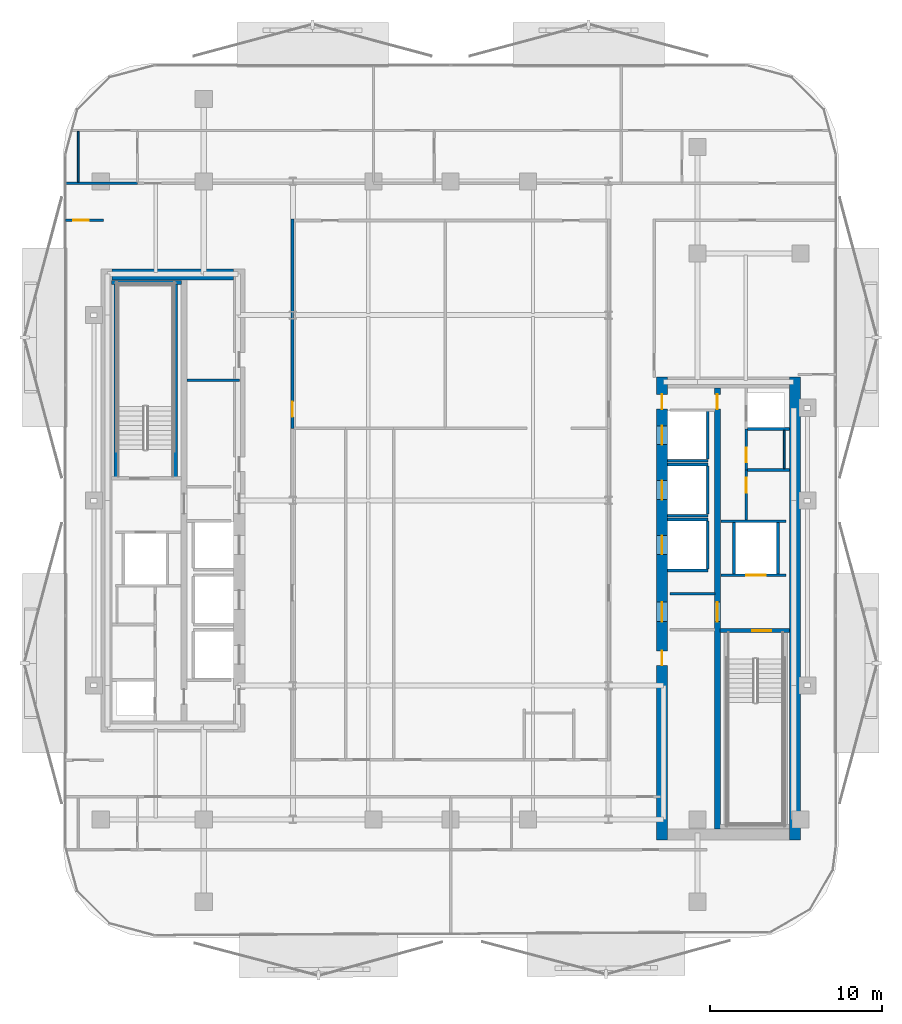
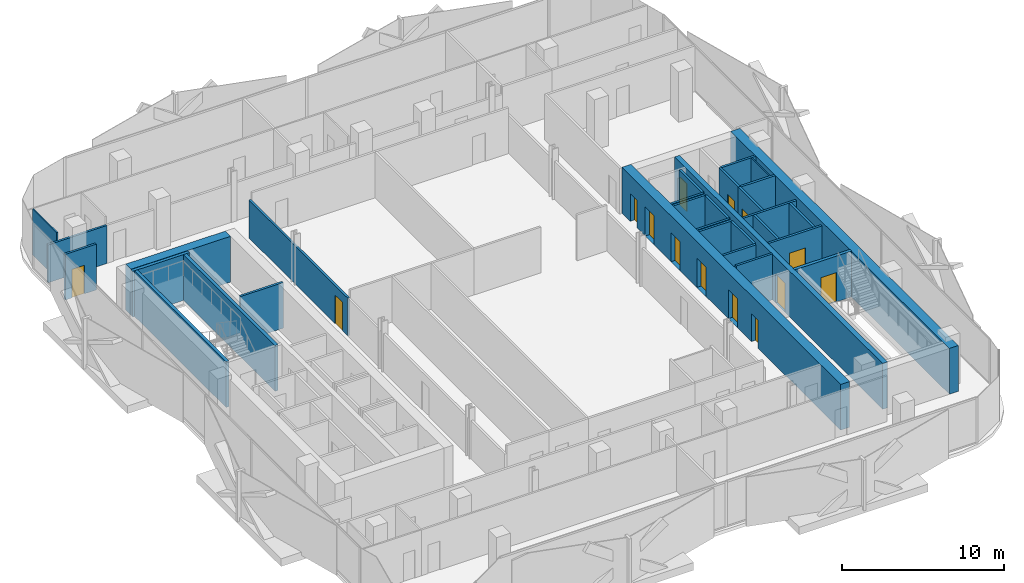
# One storey, part 5 of 17: 31 walls, 14 doors, 14 openings.
"""IFC4 building model written with IfcOpenShell, lengths in metres."""

from ifc_helpers import new_model, si_unit, direction, frame, frame_2d, origin, place, context, subcontext, project, spatial, rectangle, extrude, material, layer, layer_set, type_object, element, fill, save


model = new_model("IFC4")

# Units and contexts
model_context = context("Model", 3, precision=1e-05, world=origin(), true_north=direction((0.0, 1.0)))
body_context = subcontext(model_context, "Body", "Model", "MODEL_VIEW")
ifc_project = project(units=[si_unit("LENGTHUNIT", "METRE"), si_unit("AREAUNIT", "SQUARE_METRE"), si_unit("VOLUMEUNIT", "CUBIC_METRE"), si_unit("PLANEANGLEUNIT", "RADIAN"), si_unit("MASSUNIT", "GRAM", prefix="KILO")], contexts=[model_context])

# Site, building, storey
site_placement = place(None, origin())
site = spatial("IfcSite", under=ifc_project, at=site_placement, CompositionType="ELEMENT")
building_placement = place(site_placement, origin())
building = spatial("IfcBuilding", under=site, at=building_placement, Name="Khairoan Windgate Tower", CompositionType="ELEMENT")
storey_placement = place(building_placement, frame((0.0, 0.0, 210.60009765625)))
storey = spatial("IfcBuildingStorey", under=building, at=storey_placement, Name="L49", CompositionType="ELEMENT", Elevation=210.60009765625)

# Walls
ifc_material_1 = material(Name="Moisture-Resistant Gypsum Partition", Category="gypsum")
ifc_layer_1 = layer(ifc_material_1, 0.10009765625, Name="Moisture-Resistant Gypsum Partition")
ifc_layer_set_1 = layer_set([ifc_layer_1], Name="Moisture-Resistant Gypsum Partition")
wall_type_1 = type_object("IfcWallType", Name="Bathroom Wet-Area Partition Wall", PredefinedType="PARTITIONING", material=ifc_layer_set_1)
wall_1_placement = place(storey_placement, frame((19.449951171875, 4.090087890625, 0.0), z_axis=(0.0, 0.0, 1.0), x_axis=(0.0, -1.0, 0.0)))
element("IfcWall", 1, at=wall_1_placement, inside=storey, type_object=wall_type_1, Name="L49 Wet Room Side Wall 070", PredefinedType="PARTITIONING", context=body_context, shape_type="SweptSolid", body=[
    extrude(rectangle(XDim=2.239990234375, YDim=0.10009765625, at=frame_2d((1.1201171875, 0.0))), origin(), (0.0, 0.0, 1.0), 3.449951171875),
])
wall_2_placement = place(storey_placement, frame((-21.719970703125, 18.554931640625, 0.0), z_axis=(0.0, 0.0, 1.0), x_axis=(0.0, 1.0, 0.0)))
element("IfcWall", 2, at=wall_2_placement, inside=storey, type_object=wall_type_1, Name="L49 Wet Room Side Wall 072", PredefinedType="PARTITIONING", context=body_context, shape_type="SweptSolid", body=[
    extrude(rectangle(XDim=2.965087890625, YDim=0.10009765625, at=frame_2d((1.482421875, 0.0))), origin(), (0.0, 0.0, 1.0), 3.449951171875),
])
ifc_material_2 = material(Name="Concrete C40/50", Category="concrete")
ifc_layer_2 = layer(ifc_material_2, 0.159912109375, Name="Concrete C40/50")
ifc_layer_set_2 = layer_set([ifc_layer_2], Name="Concrete C40/50")
wall_type_2 = type_object("IfcWallType", Name="Core and Hoistway Enclosure Wall", PredefinedType="STANDARD", material=ifc_layer_set_2)
wall_3_placement = place(storey_placement, frame((12.64990234375, 2.31005859375, 0.0), z_axis=(0.0, 0.0, 1.0), x_axis=(1.0, 0.0, 0.0)))
element("IfcWall", 3, at=wall_3_placement, inside=storey, type_object=wall_type_2, Name="L49 Lift PL7 Hoistway Divider S", PredefinedType="STANDARD", context=body_context, shape_type="SweptSolid", body=[
    extrude(rectangle(XDim=2.340087890625, YDim=0.159912109375, at=frame_2d((1.169921875, 0.0))), origin(), (0.0, 0.0, 1.0), 3.449951171875),
])
wall_4_placement = place(storey_placement, frame((14.989990234375, 2.39990234375, 0.0), z_axis=(0.0, 0.0, 1.0), x_axis=(0.0, 1.0, 0.0)))
element("IfcWall", 4, at=wall_4_placement, inside=storey, type_object=wall_type_2, Name="L49 Lift PL7 Hoistway Back Wall", PredefinedType="STANDARD", context=body_context, shape_type="SweptSolid", body=[
    extrude(rectangle(XDim=2.800048828125, YDim=0.159912109375, at=frame_2d((1.39990234375, 0.0))), origin(), (0.0, 0.0, 1.0), 3.449951171875),
])
for number, where, z_axis, x_axis, name in (
    (5, (12.64990234375, -0.889892578125, 0.0), (0.0, 0.0, 1.0), (1.0, 0.0, 0.0), "L49 Lift PL8 Hoistway Divider S"),
    (6, (12.64990234375, 2.090087890625, 0.0), (0.0, 0.0, 1.0), (1.0, 0.0, 0.0), "L49 Lift PL8 Hoistway Divider N"),
):
    element("IfcWall", number, at=place(storey_placement, frame(where, z_axis=z_axis, x_axis=x_axis)), inside=storey, type_object=wall_type_2, Name=name, PredefinedType="STANDARD", context=body_context, shape_type="SweptSolid", body=[
        extrude(rectangle(XDim=2.340087890625, YDim=0.159912109375, at=frame_2d((1.169921875, 0.0))), origin(), (0.0, 0.0, 1.0), 3.449951171875),
    ])
wall_5_placement = place(storey_placement, frame((14.989990234375, -0.800048828125, 0.0), z_axis=(0.0, 0.0, 1.0), x_axis=(0.0, 1.0, 0.0)))
element("IfcWall", 7, at=wall_5_placement, inside=storey, type_object=wall_type_2, Name="L49 Lift PL8 Hoistway Back Wall", PredefinedType="STANDARD", context=body_context, shape_type="SweptSolid", body=[
    extrude(rectangle(XDim=2.800048828125, YDim=0.159912109375, at=frame_2d((1.39990234375, 0.0))), origin(), (0.0, 0.0, 1.0), 3.449951171875),
])
for number, where, z_axis, x_axis, name in (
    (8, (12.64990234375, -4.090087890625, 0.0), (0.0, 0.0, 1.0), (1.0, 0.0, 0.0), "L49 Lift PL9 Hoistway Divider S"),
    (9, (12.64990234375, -1.110107421875, 0.0), (0.0, 0.0, 1.0), (1.0, 0.0, 0.0), "L49 Lift PL9 Hoistway Divider N"),
):
    element("IfcWall", number, at=place(storey_placement, frame(where, z_axis=z_axis, x_axis=x_axis)), inside=storey, type_object=wall_type_2, Name=name, PredefinedType="STANDARD", context=body_context, shape_type="SweptSolid", body=[
        extrude(rectangle(XDim=2.340087890625, YDim=0.159912109375, at=frame_2d((1.169921875, 0.0))), origin(), (0.0, 0.0, 1.0), 3.449951171875),
    ])
wall_6_placement = place(storey_placement, frame((14.989990234375, -4.0, 0.0), z_axis=(0.0, 0.0, 1.0), x_axis=(0.0, 1.0, 0.0)))
element("IfcWall", 10, at=wall_6_placement, inside=storey, type_object=wall_type_2, Name="L49 Lift PL9 Hoistway Back Wall", PredefinedType="STANDARD", context=body_context, shape_type="SweptSolid", body=[
    extrude(rectangle(XDim=2.800048828125, YDim=0.159912109375, at=frame_2d((1.39990234375, 0.0))), origin(), (0.0, 0.0, 1.0), 3.449951171875),
])

# Wall, opening, door
wall_7_placement = place(storey_placement, frame((15.75, -4.360107421875, 0.0), z_axis=(0.0, 0.0, 1.0), x_axis=(1.0, 0.0, 0.0)))
wall_7 = element("IfcWall", 11, at=wall_7_placement, inside=storey, type_object=wall_type_2, Name="L49 Core Shaft Wall SW-FL1-L49", PredefinedType="STANDARD", context=body_context, shape_type="SweptSolid", body=[
    extrude(rectangle(XDim=3.800048828125, YDim=0.159912109375, at=frame_2d((1.89990234375, 0.0))), origin(), (0.0, 0.0, 1.0), 3.449951171875),
])
opening_1_placement = place(wall_7_placement, frame((1.469970703125, 0.0, 0.0)))
opening_1 = element("IfcOpeningElement", 12, at=opening_1_placement, cuts=wall_7, Name="Opening LD-FL", PredefinedType="OPENING", context=body_context, shape_type="SweptSolid", body=[
    extrude(rectangle(XDim=1.14990234375, YDim=2.199951171875, at=frame_2d((0.574951171875, 1.10009765625))), frame((0.0, 0.08984375, 0.0), z_axis=(0.0, -1.0, 0.0), x_axis=(1.0, 0.0, 0.0)), (0.0, 0.0, 1.0), 0.179931640625),
])
ifc_material_3 = material(Name="Steel S355", Category="steel")
door_type_1 = type_object("IfcDoorType", Name="Firefighting Lift Sliding Landing Door LD-FL 1150x2200", OperationType="DOUBLE_DOOR_SLIDING", PredefinedType="DOOR", material=ifc_material_3)
door_1_placement = place(opening_1_placement, origin())
door_1 = element("IfcDoor", 13, at=door_1_placement, inside=storey, type_object=door_type_1, Name="L49 Firefighting Lift FL1 Landing Door", OperationType="DOUBLE_DOOR_SLIDING", OverallHeight=2.199951171875, OverallWidth=1.14990234375, PredefinedType="DOOR", context=body_context, shape_type="SweptSolid", body=[
    extrude(rectangle(XDim=1.14990234375, YDim=2.199951171875, at=frame_2d((0.574951171875, 1.10009765625))), frame((0.0, 0.02490234375, 0.0), z_axis=(0.0, -1.0, 0.0), x_axis=(1.0, 0.0, 0.0)), (0.0, 0.0, 1.0), 0.050048828125),
])
fill(opening_1, door_1)

# Walls
wall_8_placement = place(storey_placement, frame((15.75, -1.219970703125, 0.0), z_axis=(0.0, 0.0, 1.0), x_axis=(1.0, 0.0, 0.0)))
element("IfcWall", 14, at=wall_8_placement, inside=storey, type_object=wall_type_2, Name="L49 Core Shaft Wall SW-FL1T-L49", PredefinedType="STANDARD", context=body_context, shape_type="SweptSolid", body=[
    extrude(rectangle(XDim=3.800048828125, YDim=0.159912109375, at=frame_2d((1.89990234375, 0.0))), origin(), (0.0, 0.0, 1.0), 3.449951171875),
])
for number, where, z_axis, x_axis, name in (
    (15, (16.52001953125, -4.280029296875, 0.0), (0.0, 0.0, 1.0), (0.0, 1.0, 0.0), "L49 Core Shaft Wall SW-FL1W-L49"),
    (16, (19.080078125, -4.280029296875, 0.0), (0.0, 0.0, 1.0), (0.0, 1.0, 0.0), "L49 Core Shaft Wall SW-FL1E-L49"),
):
    element("IfcWall", number, at=place(storey_placement, frame(where, z_axis=z_axis, x_axis=x_axis)), inside=storey, type_object=wall_type_2, Name=name, PredefinedType="STANDARD", context=body_context, shape_type="SweptSolid", body=[
        extrude(rectangle(XDim=2.97998046875, YDim=0.159912109375, at=frame_2d((1.489990234375, 0.0))), origin(), (0.0, 0.0, 1.0), 3.449951171875),
    ])
wall_9_placement = place(storey_placement, frame((12.800048828125, -5.449951171875, 0.0), z_axis=(0.0, 0.0, 1.0), x_axis=(1.0, 0.0, 0.0)))
element("IfcWall", 17, at=wall_9_placement, inside=storey, type_object=wall_type_2, Name="L49 Core Shaft Wall SW-EV1-L49", PredefinedType="STANDARD", context=body_context, shape_type="SweptSolid", body=[
    extrude(rectangle(XDim=2.599853515625, YDim=0.159912109375, at=frame_2d((1.2998046875, 0.0))), origin(), (0.0, 0.0, 1.0), 3.449951171875),
])
ifc_material_4 = material(Name="Concrete C40/50", Category="concrete")
ifc_layer_3 = layer(ifc_material_4, 0.159912109375, Name="Concrete C40/50")
ifc_layer_set_3 = layer_set([ifc_layer_3], Name="Concrete C40/50")
wall_type_3 = type_object("IfcWallType", Name="Plant and Refuge Compartment Wall", PredefinedType="PARTITIONING", material=ifc_layer_set_3)
wall_10_placement = place(storey_placement, frame((-15.375, 7.0, 0.0), z_axis=(0.0, 0.0, 1.0), x_axis=(1.0, 0.0, 0.0)))
element("IfcWall", 18, at=wall_10_placement, inside=storey, type_object=wall_type_3, Name="L49 Interior Partition 006", PredefinedType="PARTITIONING", context=body_context, shape_type="SweptSolid", body=[
    extrude(rectangle(XDim=3.06494140625, YDim=0.159912109375, at=frame_2d((1.532470703125, 0.0))), origin(), (0.0, 0.0, 1.0), 3.449951171875),
])

# Wall, opening, door
wall_11_placement = place(storey_placement, frame((17.22998046875, 1.77001953125, 0.0), z_axis=(0.0, 0.0, 1.0), x_axis=(0.0, 1.0, 0.0)))
wall_11 = element("IfcWall", 19, at=wall_11_placement, inside=storey, type_object=wall_type_3, Name="L49 Interior Partition 008", PredefinedType="PARTITIONING", context=body_context, shape_type="SweptSolid", body=[
    extrude(rectangle(XDim=2.39990234375, YDim=0.159912109375, at=frame_2d((1.199951171875, 0.0))), origin(), (0.0, 0.0, 1.0), 3.449951171875),
])
opening_2_placement = place(wall_11_placement, frame((0.4599609375, 0.0, 0.0)))
opening_2 = element("IfcOpeningElement", 20, at=opening_2_placement, cuts=wall_11, Name="Opening FD-SRV", PredefinedType="OPENING", context=body_context, shape_type="SweptSolid", body=[
    extrude(rectangle(XDim=0.85009765625, YDim=2.10009765625, at=frame_2d((0.425048828125, 1.050048828125))), frame((0.0, 0.08984375, 0.0), z_axis=(0.0, -1.0, 0.0), x_axis=(1.0, 0.0, 0.0)), (0.0, 0.0, 1.0), 0.179931640625),
])
ifc_material_5 = material(Name="Steel S355", Category="steel")
door_type_2 = type_object("IfcDoorType", Name="Core Service and Riser Fire Door FD-SRV 850x2100", OperationType="NOTDEFINED", PredefinedType="DOOR", material=ifc_material_5)
door_2_placement = place(opening_2_placement, origin())
door_2 = element("IfcDoor", 21, at=door_2_placement, inside=storey, type_object=door_type_2, Name="L49 L49-18-L49-20 Door", OperationType="SINGLE_SWING_RIGHT", OverallHeight=2.10009765625, OverallWidth=0.85009765625, PredefinedType="DOOR", context=body_context, shape_type="SweptSolid", body=[
    extrude(rectangle(XDim=0.85009765625, YDim=2.10009765625, at=frame_2d((0.425048828125, 1.050048828125))), frame((0.0, 0.02490234375, 0.0), z_axis=(0.0, -1.0, 0.0), x_axis=(1.0, 0.0, 0.0)), (0.0, 0.0, 1.0), 0.050048828125),
])
fill(opening_2, door_2)

wall_12_placement = place(storey_placement, frame((17.22998046875, -1.139892578125, 0.0), z_axis=(0.0, 0.0, 1.0), x_axis=(0.0, 1.0, 0.0)))
wall_12 = element("IfcWall", 22, at=wall_12_placement, inside=storey, type_object=wall_type_3, Name="L49 Interior Partition 009", PredefinedType="PARTITIONING", context=body_context, shape_type="SweptSolid", body=[
    extrude(rectangle(XDim=2.909912109375, YDim=0.159912109375, at=frame_2d((1.455078125, 0.0))), origin(), (0.0, 0.0, 1.0), 3.449951171875),
])
opening_3_placement = place(wall_12_placement, frame((1.60009765625, 0.0, 0.0)))
opening_3 = element("IfcOpeningElement", 23, at=opening_3_placement, cuts=wall_12, Name="Opening FD-SRV", PredefinedType="OPENING", context=body_context, shape_type="SweptSolid", body=[
    extrude(rectangle(XDim=0.85009765625, YDim=2.10009765625, at=frame_2d((0.425048828125, 1.050048828125))), frame((0.0, 0.08984375, 0.0), z_axis=(0.0, -1.0, 0.0), x_axis=(1.0, 0.0, 0.0)), (0.0, 0.0, 1.0), 0.179931640625),
])
door_3_placement = place(opening_3_placement, origin())
door_3 = element("IfcDoor", 24, at=door_3_placement, inside=storey, type_object=door_type_2, Name="L49 L49-18-L49-21 Door", OperationType="SINGLE_SWING_LEFT", OverallHeight=2.10009765625, OverallWidth=0.85009765625, PredefinedType="DOOR", context=body_context, shape_type="SweptSolid", body=[
    extrude(rectangle(XDim=0.85009765625, YDim=2.10009765625, at=frame_2d((0.425048828125, 1.050048828125))), frame((0.0, 0.02490234375, 0.0), z_axis=(0.0, -1.0, 0.0), x_axis=(1.0, 0.0, 0.0)), (0.0, 0.0, 1.0), 0.050048828125),
])
fill(opening_3, door_3)

# Walls
for number, where, z_axis, x_axis, name in (
    (25, (17.31005859375, 4.169921875, 0.0), (0.0, 0.0, 1.0), (1.0, 0.0, 0.0), "L49 Interior Partition 010"),
    (26, (17.31005859375, 1.77001953125, 0.0), (0.0, 0.0, 1.0), (1.0, 0.0, 0.0), "L49 Interior Partition 011"),
):
    element("IfcWall", number, at=place(storey_placement, frame(where, z_axis=z_axis, x_axis=x_axis)), inside=storey, type_object=wall_type_3, Name=name, PredefinedType="PARTITIONING", context=body_context, shape_type="SweptSolid", body=[
        extrude(rectangle(XDim=2.43994140625, YDim=0.159912109375, at=frame_2d((1.219970703125, 0.0))), origin(), (0.0, 0.0, 1.0), 3.449951171875),
    ])

# Wall, opening, door
ifc_material_6 = material(Name="Acoustic Fire-Rated Gypsum Partition", Category="gypsum")
ifc_layer_4 = layer(ifc_material_6, 0.14990234375, Name="Acoustic Fire-Rated Gypsum Partition")
ifc_layer_set_4 = layer_set([ifc_layer_4], Name="Acoustic Fire-Rated Gypsum Partition")
wall_type_4 = type_object("IfcWallType", Name="Rated Corridor Partition Wall", PredefinedType="PARTITIONING", material=ifc_layer_set_4)
wall_13_placement = place(storey_placement, frame((-9.219970703125, 4.199951171875, 0.0), z_axis=(0.0, 0.0, 1.0), x_axis=(0.0, 1.0, 0.0)))
wall_13 = element("IfcWall", 27, at=wall_13_placement, inside=storey, type_object=wall_type_4, Name="L49 Interior Partition 013", PredefinedType="PARTITIONING", context=body_context, shape_type="SweptSolid", body=[
    extrude(rectangle(XDim=12.195068359375, YDim=0.14990234375, at=frame_2d((6.09765625, 0.0))), origin(), (0.0, 0.0, 1.0), 2.86181640625),
])
opening_4_placement = place(wall_13_placement, frame((0.663330078125, 0.0, 0.0)))
opening_4 = element("IfcOpeningElement", 28, at=opening_4_placement, cuts=wall_13, Name="Opening FD-ENT", PredefinedType="OPENING", context=body_context, shape_type="SweptSolid", body=[
    extrude(rectangle(XDim=0.89990234375, YDim=2.14990234375, at=frame_2d((0.449951171875, 1.074951171875))), frame((0.0, 0.0849609375, 0.0), z_axis=(0.0, -1.0, 0.0), x_axis=(1.0, 0.0, 0.0)), (0.0, 0.0, 1.0), 0.169921875),
])
ifc_material_7 = material(Name="Timber Fire-Rated Core", Category="wood")
door_type_3 = type_object("IfcDoorType", Name="Unit and Office Fire Entrance Door FD-ENT 900x2150", OperationType="NOTDEFINED", PredefinedType="DOOR", material=ifc_material_7)
door_4_placement = place(opening_4_placement, origin())
door_4 = element("IfcDoor", 29, at=door_4_placement, inside=storey, type_object=door_type_3, Name="L49 L49-28-L49-37 Door", OperationType="SINGLE_SWING_LEFT", OverallHeight=2.14990234375, OverallWidth=0.89990234375, PredefinedType="DOOR", context=body_context, shape_type="SweptSolid", body=[
    extrude(rectangle(XDim=0.89990234375, YDim=2.14990234375, at=frame_2d((0.449951171875, 1.074951171875))), frame((0.0, 0.02490234375, 0.0), z_axis=(0.0, -1.0, 0.0), x_axis=(1.0, 0.0, 0.0)), (0.0, 0.0, 1.0), 0.050048828125),
])
fill(opening_4, door_4)

# Wall
wall_14_placement = place(storey_placement, frame((-22.455078125, 18.47998046875, 0.0), z_axis=(0.0, 0.0, 1.0), x_axis=(1.0, 0.0, 0.0)))
element("IfcWall", 30, at=wall_14_placement, inside=storey, type_object=wall_type_4, Name="L49 Interior Partition 019", PredefinedType="PARTITIONING", context=body_context, shape_type="SweptSolid", body=[
    extrude(rectangle(XDim=4.195068359375, YDim=0.14990234375, at=frame_2d((2.09765625, 0.0))), origin(), (0.0, 0.0, 1.0), 2.86181640625),
])

# Wall, opening, door
wall_15_placement = place(storey_placement, frame((-22.455078125, 16.340087890625, 0.0), z_axis=(0.0, 0.0, 1.0), x_axis=(1.0, 0.0, 0.0)))
wall_15 = element("IfcWall", 31, at=wall_15_placement, inside=storey, type_object=wall_type_4, Name="L49 Interior Partition 026", PredefinedType="PARTITIONING", context=body_context, shape_type="SweptSolid", body=[
    extrude(rectangle(XDim=2.215087890625, YDim=0.14990234375, at=frame_2d((1.107421875, 0.0))), origin(), (0.0, 0.0, 1.0), 3.449951171875),
])
opening_5_placement = place(wall_15_placement, frame((0.4599609375, 0.0, 0.0)))
opening_5 = element("IfcOpeningElement", 32, at=opening_5_placement, cuts=wall_15, Name="Opening FD-ENT", PredefinedType="OPENING", context=body_context, shape_type="SweptSolid", body=[
    extrude(rectangle(XDim=0.89990234375, YDim=2.14990234375, at=frame_2d((0.449951171875, 1.074951171875))), frame((0.0, 0.0849609375, 0.0), z_axis=(0.0, -1.0, 0.0), x_axis=(1.0, 0.0, 0.0)), (0.0, 0.0, 1.0), 0.169921875),
])
door_5_placement = place(opening_5_placement, origin())
door_5 = element("IfcDoor", 33, at=door_5_placement, inside=storey, type_object=door_type_3, Name="L49 L49-30-L49-55 Door", OperationType="SINGLE_SWING_LEFT", OverallHeight=2.14990234375, OverallWidth=0.89990234375, PredefinedType="DOOR", context=body_context, shape_type="SweptSolid", body=[
    extrude(rectangle(XDim=0.89990234375, YDim=2.14990234375, at=frame_2d((0.449951171875, 1.074951171875))), frame((0.0, 0.02490234375, 0.0), z_axis=(0.0, -1.0, 0.0), x_axis=(1.0, 0.0, 0.0)), (0.0, 0.0, 1.0), 0.050048828125),
])
fill(opening_5, door_5)

# Wall, openings, doors
ifc_material_8 = material(Name="Concrete C60/75", Category="concrete")
ifc_layer_5 = layer(ifc_material_8, 0.64990234375, Name="Concrete C60/75")
ifc_layer_set_5 = layer_set([ifc_layer_5], Name="Concrete C60/75")
wall_type_5 = type_object("IfcWallType", Name="Shear Wall CW-E2 650mm", PredefinedType="SHEAR", material=ifc_layer_set_5)
wall_16_placement = place(storey_placement, frame((12.324951171875, -19.800048828125, 0.0), z_axis=(0.0, 0.0, 1.0), x_axis=(0.0, 1.0, 0.0)))
wall_16 = element("IfcWall", 34, at=wall_16_placement, inside=storey, type_object=wall_type_5, Name="E Core West Shear Wall L49", PredefinedType="SHEAR", context=body_context, shape_type="SweptSolid", body=[
    extrude(rectangle(XDim=27.0, YDim=0.64990234375, at=frame_2d((13.5, 0.0))), origin(), (0.0, 0.0, 1.0), 3.449951171875),
])
opening_6_placement = place(wall_16_placement, frame((23.050048828125, 0.0, 0.0)))
opening_6 = element("IfcOpeningElement", 35, at=opening_6_placement, cuts=wall_16, Name="Opening LD-PL", PredefinedType="OPENING", context=body_context, shape_type="SweptSolid", body=[
    extrude(rectangle(XDim=1.10009765625, YDim=2.199951171875, at=frame_2d((0.550048828125, 1.10009765625))), frame((0.0, 0.3349609375, 0.0), z_axis=(0.0, -1.0, 0.0), x_axis=(1.0, 0.0, 0.0)), (0.0, 0.0, 1.0), 0.669921875),
])
opening_7_placement = place(wall_16_placement, frame((19.85009765625, 0.0, 0.0)))
opening_7 = element("IfcOpeningElement", 36, at=opening_7_placement, cuts=wall_16, Name="Opening LD-PL", PredefinedType="OPENING", context=body_context, shape_type="SweptSolid", body=[
    extrude(rectangle(XDim=1.10009765625, YDim=2.199951171875, at=frame_2d((0.550048828125, 1.10009765625))), frame((0.0, 0.3349609375, 0.0), z_axis=(0.0, -1.0, 0.0), x_axis=(1.0, 0.0, 0.0)), (0.0, 0.0, 1.0), 0.669921875),
])
opening_8_placement = place(wall_16_placement, frame((16.64990234375, 0.0, 0.0)))
opening_8 = element("IfcOpeningElement", 37, at=opening_8_placement, cuts=wall_16, Name="Opening LD-PL", PredefinedType="OPENING", context=body_context, shape_type="SweptSolid", body=[
    extrude(rectangle(XDim=1.10009765625, YDim=2.199951171875, at=frame_2d((0.550048828125, 1.10009765625))), frame((0.0, 0.3349609375, 0.0), z_axis=(0.0, -1.0, 0.0), x_axis=(1.0, 0.0, 0.0)), (0.0, 0.0, 1.0), 0.669921875),
])
opening_9_placement = place(wall_16_placement, frame((10.175048828125, 0.0, 0.0)))
opening_9 = element("IfcOpeningElement", 38, at=opening_9_placement, cuts=wall_16, Name="Opening FD-SRV", PredefinedType="OPENING", context=body_context, shape_type="SweptSolid", body=[
    extrude(rectangle(XDim=0.85009765625, YDim=2.10009765625, at=frame_2d((0.425048828125, 1.050048828125))), frame((0.0, 0.3349609375, 0.0), z_axis=(0.0, -1.0, 0.0), x_axis=(1.0, 0.0, 0.0)), (0.0, 0.0, 1.0), 0.669921875),
])
opening_10_placement = place(wall_16_placement, frame((12.72509765625, 0.0, 0.0)))
opening_10 = element("IfcOpeningElement", 39, at=opening_10_placement, cuts=wall_16, Name="Opening FD-FFL", PredefinedType="OPENING", context=body_context, shape_type="SweptSolid", body=[
    extrude(rectangle(XDim=1.14990234375, YDim=2.199951171875, at=frame_2d((0.574951171875, 1.10009765625))), frame((0.0, 0.3349609375, 0.0), z_axis=(0.0, -1.0, 0.0), x_axis=(1.0, 0.0, 0.0)), (0.0, 0.0, 1.0), 0.669921875),
])
opening_11_placement = place(wall_16_placement, frame((25.125, 0.0, 0.0)))
opening_11 = element("IfcOpeningElement", 40, at=opening_11_placement, cuts=wall_16, Name="Opening FD-SRV", PredefinedType="OPENING", context=body_context, shape_type="SweptSolid", body=[
    extrude(rectangle(XDim=0.85009765625, YDim=2.10009765625, at=frame_2d((0.425048828125, 1.050048828125))), frame((0.0, 0.3349609375, 0.0), z_axis=(0.0, -1.0, 0.0), x_axis=(1.0, 0.0, 0.0)), (0.0, 0.0, 1.0), 0.669921875),
])
door_6_placement = place(opening_9_placement, origin())
door_6 = element("IfcDoor", 41, at=door_6_placement, inside=storey, type_object=door_type_2, Name="L49 East Core Service Room Door 1", OperationType="SINGLE_SWING_LEFT", OverallHeight=2.10009765625, OverallWidth=0.85009765625, PredefinedType="DOOR", context=body_context, shape_type="SweptSolid", body=[
    extrude(rectangle(XDim=0.85009765625, YDim=2.10009765625, at=frame_2d((0.425048828125, 1.050048828125))), frame((0.0, 0.02490234375, 0.0), z_axis=(0.0, -1.0, 0.0), x_axis=(1.0, 0.0, 0.0)), (0.0, 0.0, 1.0), 0.050048828125),
])
fill(opening_9, door_6)
door_7_placement = place(opening_11_placement, origin())
door_7 = element("IfcDoor", 42, at=door_7_placement, inside=storey, type_object=door_type_2, Name="L49 East Core Service Vestibule Outer Door", OperationType="SINGLE_SWING_RIGHT", OverallHeight=2.10009765625, OverallWidth=0.85009765625, PredefinedType="DOOR", context=body_context, shape_type="SweptSolid", body=[
    extrude(rectangle(XDim=0.85009765625, YDim=2.10009765625, at=frame_2d((0.425048828125, 1.050048828125))), frame((0.0, 0.02490234375, 0.0), z_axis=(0.0, -1.0, 0.0), x_axis=(1.0, 0.0, 0.0)), (0.0, 0.0, 1.0), 0.050048828125),
])
fill(opening_11, door_7)
ifc_material_9 = material(Name="Steel S355", Category="steel")
door_type_4 = type_object("IfcDoorType", Name="Firefighting Lobby Fire Door FD-FFL 1150x2200", OperationType="NOTDEFINED", PredefinedType="DOOR", material=ifc_material_9)
door_8_placement = place(opening_10_placement, origin())
door_8 = element("IfcDoor", 43, at=door_8_placement, inside=storey, type_object=door_type_4, Name="L49 East Core Vestibule Entry Door", OperationType="SINGLE_SWING_RIGHT", OverallHeight=2.199951171875, OverallWidth=1.14990234375, PredefinedType="DOOR", context=body_context, shape_type="SweptSolid", body=[
    extrude(rectangle(XDim=1.14990234375, YDim=2.199951171875, at=frame_2d((0.574951171875, 1.10009765625))), frame((0.0, 0.02490234375, 0.0), z_axis=(0.0, -1.0, 0.0), x_axis=(1.0, 0.0, 0.0)), (0.0, 0.0, 1.0), 0.050048828125),
])
fill(opening_10, door_8)
ifc_material_10 = material(Name="Anodised Bronze Aluminium 6063-T6", Category="aluminium")
door_type_5 = type_object("IfcDoorType", Name="Passenger Lift Sliding Landing Door LD-PL 1100x2200", OperationType="DOUBLE_DOOR_SLIDING", PredefinedType="DOOR", material=ifc_material_10)
door_9_placement = place(opening_6_placement, origin())
door_9 = element("IfcDoor", 44, at=door_9_placement, inside=storey, type_object=door_type_5, Name="L49 Lift PL7 Sliding Landing Door", OperationType="DOUBLE_DOOR_SLIDING", OverallHeight=2.199951171875, OverallWidth=1.10009765625, PredefinedType="DOOR", context=body_context, shape_type="SweptSolid", body=[
    extrude(rectangle(XDim=1.10009765625, YDim=2.199951171875, at=frame_2d((0.550048828125, 1.10009765625))), frame((0.0, 0.02490234375, 0.0), z_axis=(0.0, -1.0, 0.0), x_axis=(1.0, 0.0, 0.0)), (0.0, 0.0, 1.0), 0.050048828125),
])
fill(opening_6, door_9)
door_10_placement = place(opening_7_placement, origin())
door_10 = element("IfcDoor", 45, at=door_10_placement, inside=storey, type_object=door_type_5, Name="L49 Lift PL8 Sliding Landing Door", OperationType="DOUBLE_DOOR_SLIDING", OverallHeight=2.199951171875, OverallWidth=1.10009765625, PredefinedType="DOOR", context=body_context, shape_type="SweptSolid", body=[
    extrude(rectangle(XDim=1.10009765625, YDim=2.199951171875, at=frame_2d((0.550048828125, 1.10009765625))), frame((0.0, 0.02490234375, 0.0), z_axis=(0.0, -1.0, 0.0), x_axis=(1.0, 0.0, 0.0)), (0.0, 0.0, 1.0), 0.050048828125),
])
fill(opening_7, door_10)
door_11_placement = place(opening_8_placement, origin())
door_11 = element("IfcDoor", 46, at=door_11_placement, inside=storey, type_object=door_type_5, Name="L49 Lift PL9 Sliding Landing Door", OperationType="DOUBLE_DOOR_SLIDING", OverallHeight=2.199951171875, OverallWidth=1.10009765625, PredefinedType="DOOR", context=body_context, shape_type="SweptSolid", body=[
    extrude(rectangle(XDim=1.10009765625, YDim=2.199951171875, at=frame_2d((0.550048828125, 1.10009765625))), frame((0.0, 0.02490234375, 0.0), z_axis=(0.0, -1.0, 0.0), x_axis=(1.0, 0.0, 0.0)), (0.0, 0.0, 1.0), 0.050048828125),
])
fill(opening_8, door_11)

# Walls
wall_17_placement = place(storey_placement, frame((20.074951171875, -19.800048828125, 0.0), z_axis=(0.0, 0.0, 1.0), x_axis=(0.0, 1.0, 0.0)))
element("IfcWall", 47, at=wall_17_placement, inside=storey, type_object=wall_type_5, Name="E Core East Shear Wall L49", PredefinedType="SHEAR", context=body_context, shape_type="SweptSolid", body=[
    extrude(rectangle(XDim=27.0, YDim=0.64990234375, at=frame_2d((13.5, 0.0))), origin(), (0.0, 0.0, 1.0), 3.449951171875),
])
ifc_material_11 = material(Name="Concrete C60/75", Category="concrete")
ifc_layer_6 = layer(ifc_material_11, 0.64990234375, Name="Concrete C60/75")
ifc_layer_set_6 = layer_set([ifc_layer_6], Name="Concrete C60/75")
wall_type_6 = type_object("IfcWallType", Name="Shear Wall CW-W2 650mm", PredefinedType="SHEAR", material=ifc_layer_set_6)
wall_18_placement = place(storey_placement, frame((-19.75, 13.175048828125, 0.0), z_axis=(0.0, 0.0, 1.0), x_axis=(1.0, 0.0, 0.0)))
element("IfcWall", 48, at=wall_18_placement, inside=storey, type_object=wall_type_6, Name="W Core North Shear Wall L49", PredefinedType="SHEAR", context=body_context, shape_type="SweptSolid", body=[
    extrude(rectangle(XDim=7.10009765625, YDim=0.64990234375, at=frame_2d((3.550048828125, 0.0))), origin(), (0.0, 0.0, 1.0), 3.449951171875),
])

# Wall, openings, doors
ifc_material_12 = material(Name="Concrete C60/75", Category="concrete")
ifc_layer_7 = layer(ifc_material_12, 0.35009765625, Name="Concrete C60/75")
ifc_layer_set_7 = layer_set([ifc_layer_7], Name="Concrete C60/75")
wall_type_7 = type_object("IfcWallType", Name="Shear Wall SW-1 350mm", PredefinedType="SHEAR", material=ifc_layer_set_7)
wall_19_placement = place(storey_placement, frame((15.550048828125, -19.14990234375, 0.0), z_axis=(0.0, 0.0, 1.0), x_axis=(0.0, 1.0, 0.0)))
wall_19 = element("IfcWall", 49, at=wall_19_placement, inside=storey, type_object=wall_type_7, Name="E Core Spine Shear Wall L49", PredefinedType="SHEAR", context=body_context, shape_type="SweptSolid", body=[
    extrude(rectangle(XDim=25.699951171875, YDim=0.35009765625, at=frame_2d((12.85009765625, 0.0))), origin(), (0.0, 0.0, 1.0), 3.449951171875),
])
opening_12_placement = place(wall_19_placement, frame((12.074951171875, 0.0, 0.0)))
opening_12 = element("IfcOpeningElement", 50, at=opening_12_placement, cuts=wall_19, Name="Opening FD-FFL", PredefinedType="OPENING", context=body_context, shape_type="SweptSolid", body=[
    extrude(rectangle(XDim=1.14990234375, YDim=2.199951171875, at=frame_2d((0.574951171875, 1.10009765625))), frame((0.0, 0.18505859375, 0.0), z_axis=(0.0, -1.0, 0.0), x_axis=(1.0, 0.0, 0.0)), (0.0, 0.0, 1.0), 0.3701171875),
])
opening_13_placement = place(wall_19_placement, frame((24.47509765625, 0.0, 0.0)))
opening_13 = element("IfcOpeningElement", 51, at=opening_13_placement, cuts=wall_19, Name="Opening FD-SRV", PredefinedType="OPENING", context=body_context, shape_type="SweptSolid", body=[
    extrude(rectangle(XDim=0.85009765625, YDim=2.10009765625, at=frame_2d((0.425048828125, 1.050048828125))), frame((0.0, 0.18505859375, 0.0), z_axis=(0.0, -1.0, 0.0), x_axis=(1.0, 0.0, 0.0)), (0.0, 0.0, 1.0), 0.3701171875),
])
door_12_placement = place(opening_13_placement, origin())
door_12 = element("IfcDoor", 52, at=door_12_placement, inside=storey, type_object=door_type_2, Name="L49 East Core Service Passage Inner Door", OperationType="SINGLE_SWING_LEFT", OverallHeight=2.10009765625, OverallWidth=0.85009765625, PredefinedType="DOOR", context=body_context, shape_type="SweptSolid", body=[
    extrude(rectangle(XDim=0.85009765625, YDim=2.10009765625, at=frame_2d((0.425048828125, 1.050048828125))), frame((0.0, 0.02490234375, 0.0), z_axis=(0.0, -1.0, 0.0), x_axis=(1.0, 0.0, 0.0)), (0.0, 0.0, 1.0), 0.050048828125),
])
fill(opening_13, door_12)
door_13_placement = place(opening_12_placement, origin())
door_13 = element("IfcDoor", 53, at=door_13_placement, inside=storey, type_object=door_type_4, Name="L49 East Firefighting Lobby Fire Door", OperationType="SINGLE_SWING_LEFT", OverallHeight=2.199951171875, OverallWidth=1.14990234375, PredefinedType="DOOR", context=body_context, shape_type="SweptSolid", body=[
    extrude(rectangle(XDim=1.14990234375, YDim=2.199951171875, at=frame_2d((0.574951171875, 1.10009765625))), frame((0.0, 0.02490234375, 0.0), z_axis=(0.0, -1.0, 0.0), x_axis=(1.0, 0.0, 0.0)), (0.0, 0.0, 1.0), 0.050048828125),
])
fill(opening_12, door_13)

# Wall, opening, door
ifc_material_13 = material(Name="Concrete C50/60", Category="concrete")
ifc_layer_8 = layer(ifc_material_13, 0.219970703125, Name="Concrete C50/60")
ifc_layer_set_8 = layer_set([ifc_layer_8], Name="Concrete C50/60")
wall_type_8 = type_object("IfcWallType", Name="Shear Wall SW-ST 220mm", PredefinedType="SHEAR", material=ifc_layer_set_8)
wall_20_placement = place(storey_placement, frame((19.77001953125, -7.590087890625, 0.0), z_axis=(0.0, 0.0, 1.0), x_axis=(-1.0, 0.0, 0.0)))
wall_20 = element("IfcWall", 54, at=wall_20_placement, inside=storey, type_object=wall_type_8, Name="L49 Stair ST1 North Bearing Wall", PredefinedType="SHEAR", context=body_context, shape_type="SweptSolid", body=[
    extrude(rectangle(XDim=4.06494140625, YDim=0.219970703125, at=frame_2d((2.032470703125, 0.0))), origin(), (0.0, 0.0, 1.0), 3.449951171875),
])
opening_14_placement = place(wall_20_placement, frame((1.080078125, 0.0, 0.0)))
opening_14 = element("IfcOpeningElement", 55, at=opening_14_placement, cuts=wall_20, Name="Opening FD-ST", PredefinedType="OPENING", context=body_context, shape_type="SweptSolid", body=[
    extrude(rectangle(XDim=1.10009765625, YDim=2.199951171875, at=frame_2d((0.550048828125, 1.10009765625))), frame((0.0, 0.119873046875, 0.0), z_axis=(0.0, -1.0, 0.0), x_axis=(1.0, 0.0, 0.0)), (0.0, 0.0, 1.0), 0.239990234375),
])
ifc_material_14 = material(Name="Steel S355", Category="steel")
door_type_6 = type_object("IfcDoorType", Name="Smokeproof Stair Fire Door FD-ST 1100x2200", OperationType="NOTDEFINED", PredefinedType="DOOR", material=ifc_material_14)
door_14_placement = place(opening_14_placement, origin())
door_14 = element("IfcDoor", 56, at=door_14_placement, inside=storey, type_object=door_type_6, Name="L49 Stair ST1 Fire Door", OperationType="SINGLE_SWING_LEFT", OverallHeight=2.199951171875, OverallWidth=1.10009765625, PredefinedType="DOOR", context=body_context, shape_type="SweptSolid", body=[
    extrude(rectangle(XDim=1.10009765625, YDim=2.199951171875, at=frame_2d((0.550048828125, 1.10009765625))), frame((0.0, 0.02490234375, 0.0), z_axis=(0.0, -1.0, 0.0), x_axis=(1.0, 0.0, 0.0)), (0.0, 0.0, 1.0), 0.050048828125),
])
fill(opening_14, door_14)

# Walls
for number, where, z_axis, x_axis, name in (
    (57, (-16.0400390625, 1.2900390625, 0.0), (0.0, 0.0, 1.0), (0.0, 1.0, 0.0), "L49 Stair ST2 East Bearing Wall"),
    (58, (-19.530029296875, 1.2900390625, 0.0), (0.0, 0.0, 1.0), (0.0, 1.0, 0.0), "L49 Stair ST2 West Bearing Wall"),
):
    element("IfcWall", number, at=place(storey_placement, frame(where, z_axis=z_axis, x_axis=x_axis)), inside=storey, type_object=wall_type_8, Name=name, PredefinedType="SHEAR", context=body_context, shape_type="SweptSolid", body=[
        extrude(rectangle(XDim=11.419921875, YDim=0.219970703125, at=frame_2d((5.7099609375, 0.0))), origin(), (0.0, 0.0, 1.0), 3.449951171875),
    ])
wall_21_placement = place(storey_placement, frame((-19.77001953125, 12.7099609375, 0.0), z_axis=(0.0, 0.0, 1.0), x_axis=(1.0, 0.0, 0.0)))
element("IfcWall", 59, at=wall_21_placement, inside=storey, type_object=wall_type_8, Name="L49 Stair ST2 North Bearing Wall", PredefinedType="SHEAR", context=body_context, shape_type="SweptSolid", body=[
    extrude(rectangle(XDim=4.06494140625, YDim=0.219970703125, at=frame_2d((2.032470703125, 0.0))), origin(), (0.0, 0.0, 1.0), 3.449951171875),
])

save(model, "model.ifc")
